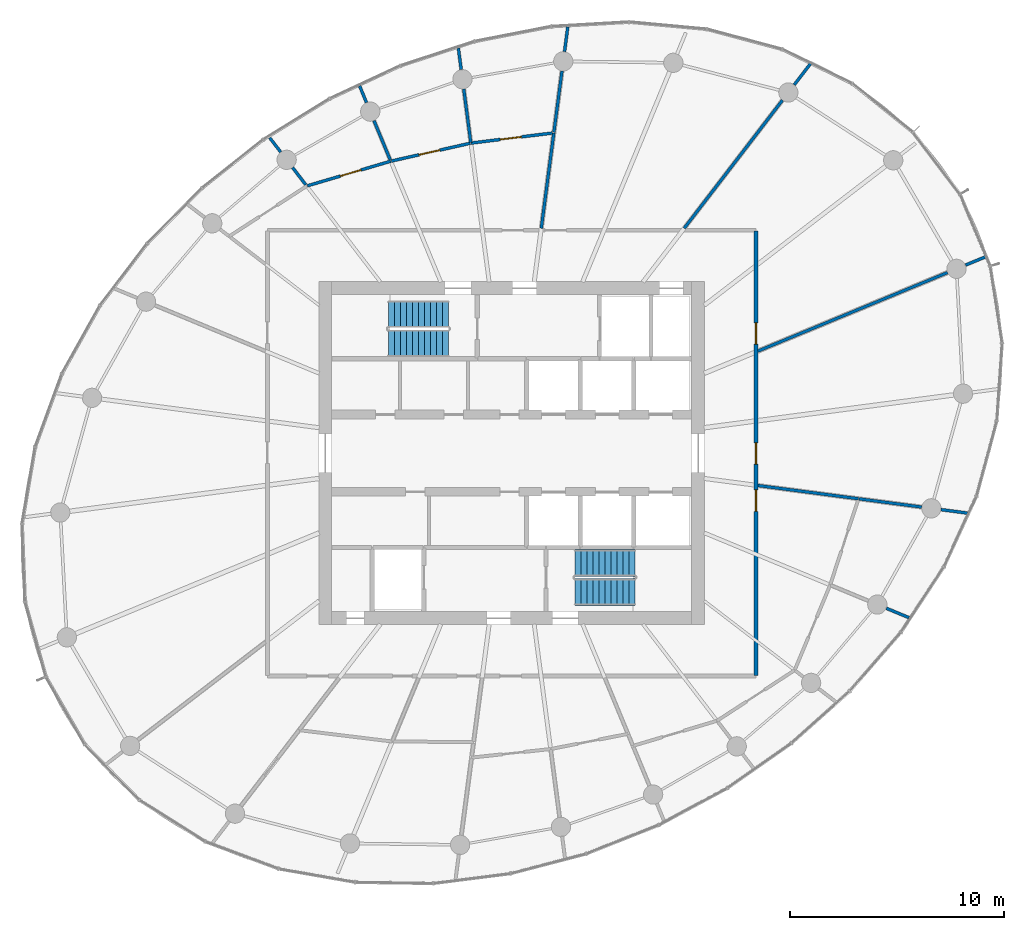
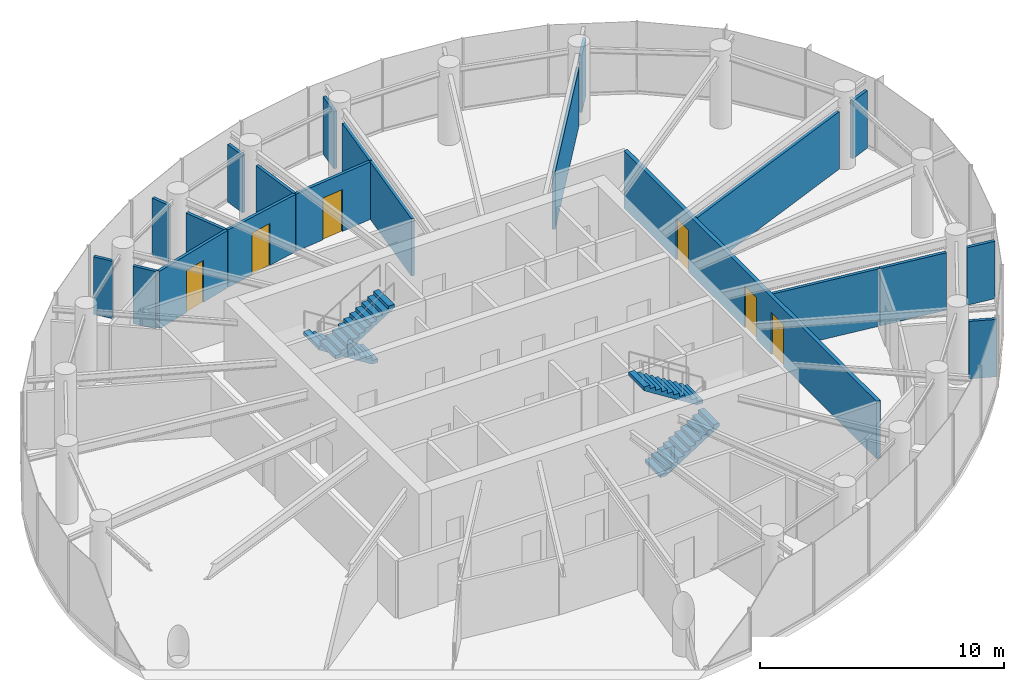
# One storey, part 12 of 14: 21 walls, 6 doors, 4 stair flights, 6 openings, 2 elements without a shape of their own.
"""IFC4 building model written with IfcOpenShell, lengths in metres."""

from ifc_helpers import new_model, si_unit, direction, frame, frame_2d, origin, place, context, subcontext, project, spatial, line, indexed_curve, rectangle, outline, extrude, source, transform, mapped, material, layer, layer_set, type_object, element, fill, aggregate, save


model = new_model("IFC4")

# Units and contexts
model_context = context("Model", 3, precision=1e-05, world=origin(), true_north=direction((0.0, 1.0)))
body_context = subcontext(model_context, "Body", "Model", "MODEL_VIEW")
ifc_project = project(units=[si_unit("LENGTHUNIT", "METRE"), si_unit("AREAUNIT", "SQUARE_METRE"), si_unit("VOLUMEUNIT", "CUBIC_METRE"), si_unit("PLANEANGLEUNIT", "RADIAN"), si_unit("MASSUNIT", "GRAM", prefix="KILO")], contexts=[model_context])

# Site, building, storey
site_placement = place(None, origin())
site = spatial("IfcSite", under=ifc_project, at=site_placement, CompositionType="ELEMENT")
building_placement = place(site_placement, origin())
building = spatial("IfcBuilding", under=site, at=building_placement, Name="Spindrift Exchange Tower", CompositionType="ELEMENT")
storey_placement = place(building_placement, frame((0.0, 0.0, 215.0)))
storey = spatial("IfcBuildingStorey", under=building, at=storey_placement, Name="L52", CompositionType="ELEMENT", Elevation=215.0)

# Wall, openings, doors
ifc_material_1 = material(Name="Fire-rated plasterboard partition", Category="gypsum")
ifc_layer_1 = layer(ifc_material_1, 0.179931640625)
ifc_layer_set_1 = layer_set([ifc_layer_1], Name="W-CORR-180")
wall_type_1 = type_object("IfcWallType", Name="W-CORR-180", PredefinedType="PARTITIONING", material=ifc_layer_set_1)
wall_1_placement = place(storey_placement, frame((63.39990234375, 58.3701171875, 0.0), z_axis=(0.0, 0.0, 1.0), x_axis=(0.0, -1.0, 0.0)))
wall_1 = element("IfcWall", 1, at=wall_1_placement, inside=storey, type_object=wall_type_1, Name="L52 Partition wall 29", PredefinedType="PARTITIONING", context=body_context, shape_type="SweptSolid", body=[
    extrude(rectangle(XDim=20.740234375, YDim=0.179931640625, at=frame_2d((10.3701171875, 0.0))), origin(), (0.0, 0.0, 1.0), 2.8798828125),
])
opening_1_placement = place(wall_1_placement, frame((12.090087890625, 0.0, 0.0)))
opening_1 = element("IfcOpeningElement", 2, at=opening_1_placement, cuts=wall_1, Name="Opening L52-D25", PredefinedType="OPENING", context=body_context, shape_type="SweptSolid", body=[
    extrude(rectangle(XDim=1.0, YDim=2.10009765625, at=frame_2d((0.5, 1.050048828125))), frame((0.0, 0.099853515625, 0.0), z_axis=(0.0, -1.0, 0.0), x_axis=(1.0, 0.0, 0.0)), (0.0, 0.0, 1.0), 0.199951171875),
])
opening_2_placement = place(wall_1_placement, frame((9.889892578125, 0.0, 0.0)))
opening_2 = element("IfcOpeningElement", 3, at=opening_2_placement, cuts=wall_1, Name="Opening L52-D30", PredefinedType="OPENING", context=body_context, shape_type="SweptSolid", body=[
    extrude(rectangle(XDim=1.0, YDim=2.10009765625, at=frame_2d((0.5, 1.050048828125))), frame((0.0, 0.099853515625, 0.0), z_axis=(0.0, -1.0, 0.0), x_axis=(1.0, 0.0, 0.0)), (0.0, 0.0, 1.0), 0.199951171875),
])
opening_3_placement = place(wall_1_placement, frame((4.2900390625, 0.0, 0.0)))
opening_3 = element("IfcOpeningElement", 4, at=opening_3_placement, cuts=wall_1, Name="Opening L52-D31", PredefinedType="OPENING", context=body_context, shape_type="SweptSolid", body=[
    extrude(rectangle(XDim=1.0, YDim=2.10009765625, at=frame_2d((0.5, 1.050048828125))), frame((0.0, 0.099853515625, 0.0), z_axis=(0.0, -1.0, 0.0), x_axis=(1.0, 0.0, 0.0)), (0.0, 0.0, 1.0), 0.199951171875),
])
ifc_material_2 = material(Name="Timber-core fire door", Category="wood")
door_type = type_object("IfcDoorType", Name="DR-ROOM-1000", OperationType="NOTDEFINED", PredefinedType="DOOR", material=ifc_material_2)
shared_shape = source(origin(), body_context, "Body", "SweptSolid", [
    extrude(rectangle(XDim=1.0, YDim=2.10009765625, at=frame_2d((0.5, 1.050048828125))), frame((0.0, 0.02490234375, 0.0), z_axis=(0.0, -1.0, 0.0), x_axis=(1.0, 0.0, 0.0)), (0.0, 0.0, 1.0), 0.050048828125),
])
door_1_placement = place(opening_1_placement, origin())
door_1 = element("IfcDoor", 5, at=door_1_placement, inside=storey, type_object=door_type, Name="L52 Door 25", OperationType="SINGLE_SWING_RIGHT", OverallHeight=2.10009765625, OverallWidth=1.0, PredefinedType="DOOR", context=body_context, shape_type="MappedRepresentation", body=[
    mapped(shared_shape, transform((0.0, 0.0, 0.0), scale=1.0)),
])
fill(opening_1, door_1)
door_2_placement = place(opening_2_placement, origin())
door_2 = element("IfcDoor", 6, at=door_2_placement, inside=storey, type_object=door_type, Name="L52 Door 30", OperationType="SINGLE_SWING_LEFT", OverallHeight=2.10009765625, OverallWidth=1.0, PredefinedType="DOOR", context=body_context, shape_type="MappedRepresentation", body=[
    mapped(shared_shape, transform((0.0, 0.0, 0.0), scale=1.0)),
])
fill(opening_2, door_2)
door_3_placement = place(opening_3_placement, origin())
door_3 = element("IfcDoor", 7, at=door_3_placement, inside=storey, type_object=door_type, Name="L52 Door 31", OperationType="SINGLE_SWING_RIGHT", OverallHeight=2.10009765625, OverallWidth=1.0, PredefinedType="DOOR", context=body_context, shape_type="MappedRepresentation", body=[
    mapped(shared_shape, transform((0.0, 0.0, 0.0), scale=1.0)),
])
fill(opening_3, door_3)

# Walls
ifc_layer_2 = layer(ifc_material_1, 0.139892578125)
ifc_layer_set_2 = layer_set([ifc_layer_2], Name="W-PART-140")
wall_type_2 = type_object("IfcWallType", Name="W-PART-140", PredefinedType="PARTITIONING", material=ifc_layer_set_2)
wall_2_placement = place(storey_placement, frame((63.489990234375, 52.75927734375, 0.0), z_axis=(0.0, 0.0, 1.0), x_axis=(0.923877866197, 0.382687455178, 0.0)))
element("IfcWall", 8, at=wall_2_placement, inside=storey, type_object=wall_type_2, Name="L52 Partition wall 31", PredefinedType="PARTITIONING", context=body_context, shape_type="SweptSolid", body=[
    extrude(rectangle(XDim=9.5712890625, YDim=0.139892578125, at=frame_2d((4.78564453125, 0.0))), origin(), (0.0, 0.0, 1.0), 2.8798828125),
])
wall_3_placement = place(storey_placement, frame((60.04931640625, 58.489990234375, 0.0), z_axis=(0.0, 0.0, 1.0), x_axis=(0.608758977351, 0.793355221508, 0.0)))
element("IfcWall", 9, at=wall_3_placement, inside=storey, type_object=wall_type_2, Name="L52 Partition wall 32", PredefinedType="PARTITIONING", context=body_context, shape_type="SweptSolid", body=[
    extrude(rectangle(XDim=7.528076171875, YDim=0.139892578125, at=frame_2d((3.76416015625, 0.0))), origin(), (0.0, 0.0, 1.0), 2.8798828125),
])
wall_4_placement = place(storey_placement, frame((63.489990234375, 46.4873046875, 0.0), z_axis=(0.0, 0.0, 1.0), x_axis=(0.99144375561, -0.130534591054, 0.0)))
element("IfcWall", 10, at=wall_4_placement, inside=storey, type_object=wall_type_2, Name="L52 Partition wall 35", PredefinedType="PARTITIONING", context=body_context, shape_type="SweptSolid", body=[
    extrude(rectangle(XDim=4.73193359375, YDim=0.139892578125, at=frame_2d((2.365966796875, 0.0))), origin(), (0.0, 0.0, 1.0), 2.8798828125),
])
wall_5_placement = place(storey_placement, frame((53.381103515625, 58.489990234375, 0.0), z_axis=(0.0, 0.0, 1.0), x_axis=(0.130513619035, 0.991446516584, 0.0)))
element("IfcWall", 11, at=wall_5_placement, inside=storey, type_object=wall_type_2, Name="L52 Partition wall 36", PredefinedType="PARTITIONING", context=body_context, shape_type="SweptSolid", body=[
    extrude(rectangle(XDim=4.487548828125, YDim=0.139892578125, at=frame_2d((2.24365234375, 0.0))), origin(), (0.0, 0.0, 1.0), 2.8798828125),
])

# Wall, opening, door
wall_6_placement = place(storey_placement, frame((42.466796875, 60.4697265625, 0.0), z_axis=(0.0, 0.0, 1.0), x_axis=(0.959068964017, 0.283172601532, 0.0)))
wall_6 = element("IfcWall", 12, at=wall_6_placement, inside=storey, type_object=wall_type_2, Name="L52 Partition wall 44", PredefinedType="PARTITIONING", context=body_context, shape_type="SweptSolid", body=[
    extrude(rectangle(XDim=4.05810546875, YDim=0.139892578125, at=frame_2d((2.029052734375, 0.0))), origin(), (0.0, 0.0, 1.0), 2.8798828125),
])
opening_4_placement = place(wall_6_placement, frame((1.608154296875, 0.0, 0.0)))
opening_4 = element("IfcOpeningElement", 13, at=opening_4_placement, cuts=wall_6, Name="Opening L52-D36", PredefinedType="OPENING", context=body_context, shape_type="SweptSolid", body=[
    extrude(rectangle(XDim=1.0, YDim=2.10009765625, at=frame_2d((0.5, 1.050048828125))), frame((0.0, 0.079833984375, 0.0), z_axis=(0.0, -1.0, 0.0), x_axis=(1.0, 0.0, 0.0)), (0.0, 0.0, 1.0), 0.159912109375),
])
door_4_placement = place(opening_4_placement, origin())
door_4 = element("IfcDoor", 14, at=door_4_placement, inside=storey, type_object=door_type, Name="L52 Door 36", OperationType="SINGLE_SWING_LEFT", OverallHeight=2.10009765625, OverallWidth=1.0, PredefinedType="DOOR", context=body_context, shape_type="MappedRepresentation", body=[
    mapped(shared_shape, transform((0.0, 0.0, 0.0), scale=1.0)),
])
fill(opening_4, door_4)

wall_7_placement = place(storey_placement, frame((50.095947265625, 62.46240234375, 0.0), z_axis=(0.0, 0.0, 1.0), x_axis=(0.992497085358, 0.122268293338, 0.0)))
wall_7 = element("IfcWall", 15, at=wall_7_placement, inside=storey, type_object=wall_type_2, Name="L52 Partition wall 45", PredefinedType="PARTITIONING", context=body_context, shape_type="SweptSolid", body=[
    extrude(rectangle(XDim=3.827880859375, YDim=0.139892578125, at=frame_2d((1.9140625, 0.0))), origin(), (0.0, 0.0, 1.0), 2.8798828125),
])
opening_5_placement = place(wall_7_placement, frame((1.377685546875, 0.0, 0.0)))
opening_5 = element("IfcOpeningElement", 16, at=opening_5_placement, cuts=wall_7, Name="Opening L52-D34", PredefinedType="OPENING", context=body_context, shape_type="SweptSolid", body=[
    extrude(rectangle(XDim=1.0, YDim=2.10009765625, at=frame_2d((0.5, 1.050048828125))), frame((0.0, 0.079833984375, 0.0), z_axis=(0.0, -1.0, 0.0), x_axis=(1.0, 0.0, 0.0)), (0.0, 0.0, 1.0), 0.159912109375),
])
door_5_placement = place(opening_5_placement, origin())
door_5 = element("IfcDoor", 17, at=door_5_placement, inside=storey, type_object=door_type, Name="L52 Door 34", OperationType="SINGLE_SWING_LEFT", OverallHeight=2.10009765625, OverallWidth=1.0, PredefinedType="DOOR", context=body_context, shape_type="MappedRepresentation", body=[
    mapped(shared_shape, transform((0.0, 0.0, 0.0), scale=1.0)),
])
fill(opening_5, door_5)

wall_8_placement = place(storey_placement, frame((46.38818359375, 61.62548828125, 0.0), z_axis=(0.0, 0.0, 1.0), x_axis=(0.975458049839, 0.220185360556, 0.0)))
wall_8 = element("IfcWall", 18, at=wall_8_placement, inside=storey, type_object=wall_type_2, Name="L52 Partition wall 46", PredefinedType="PARTITIONING", context=body_context, shape_type="SweptSolid", body=[
    extrude(rectangle(XDim=3.77099609375, YDim=0.139892578125, at=frame_2d((1.885498046875, 0.0))), origin(), (0.0, 0.0, 1.0), 2.8798828125),
])
opening_6_placement = place(wall_8_placement, frame((1.3212890625, 0.0, 0.0)))
opening_6 = element("IfcOpeningElement", 19, at=opening_6_placement, cuts=wall_8, Name="Opening L52-D35", PredefinedType="OPENING", context=body_context, shape_type="SweptSolid", body=[
    extrude(rectangle(XDim=1.0, YDim=2.10009765625, at=frame_2d((0.5, 1.050048828125))), frame((0.0, 0.079833984375, 0.0), z_axis=(0.0, -1.0, 0.0), x_axis=(1.0, 0.0, 0.0)), (0.0, 0.0, 1.0), 0.159912109375),
])
door_6_placement = place(opening_6_placement, origin())
door_6 = element("IfcDoor", 20, at=door_6_placement, inside=storey, type_object=door_type, Name="L52 Door 35", OperationType="SINGLE_SWING_RIGHT", OverallHeight=2.10009765625, OverallWidth=1.0, PredefinedType="DOOR", context=body_context, shape_type="MappedRepresentation", body=[
    mapped(shared_shape, transform((0.0, 0.0, 0.0), scale=1.0)),
])
fill(opening_6, door_6)

# Walls
wall_9_placement = place(storey_placement, frame((68.211181640625, 45.86572265625, 0.0), z_axis=(0.0, 0.0, 1.0), x_axis=(0.991446673779, -0.1305124249, 0.0)))
element("IfcWall", 21, at=wall_9_placement, inside=storey, type_object=wall_type_2, Name="L52 Partition wall 54", PredefinedType="PARTITIONING", context=body_context, shape_type="SweptSolid", body=[
    extrude(rectangle(XDim=2.9443359375, YDim=0.139892578125, at=frame_2d((1.47216796875, 0.0))), origin(), (0.0, 0.0, 1.0), 2.8798828125),
])
wall_10_placement = place(storey_placement, frame((53.970703125, 62.968994140625, 0.0), z_axis=(0.0, 0.0, 1.0), x_axis=(0.130566218239, 0.991439591026, 0.0)))
element("IfcWall", 22, at=wall_10_placement, inside=storey, type_object=wall_type_2, Name="L52 Partition wall 56", PredefinedType="PARTITIONING", context=body_context, shape_type="SweptSolid", body=[
    extrude(rectangle(XDim=2.88330078125, YDim=0.139892578125, at=frame_2d((1.441650390625, 0.0))), origin(), (0.0, 0.0, 1.0), 2.8798828125),
])
wall_11_placement = place(storey_placement, frame((50.092041015625, 62.4921875, 0.0), z_axis=(0.0, 0.0, 1.0), x_axis=(-0.130527151373, 0.991444735098, 0.0)))
element("IfcWall", 23, at=wall_11_placement, inside=storey, type_object=wall_type_2, Name="L52 Partition wall 57", PredefinedType="PARTITIONING", context=body_context, shape_type="SweptSolid", body=[
    extrude(rectangle(XDim=2.521240234375, YDim=0.139892578125, at=frame_2d((1.2607421875, 0.0))), origin(), (0.0, 0.0, 1.0), 2.8798828125),
])
wall_12_placement = place(storey_placement, frame((46.33203125, 61.683837890625, 0.0), z_axis=(0.0, 0.0, 1.0), x_axis=(-0.382686140255, 0.923878410862, 0.0)))
element("IfcWall", 24, at=wall_12_placement, inside=storey, type_object=wall_type_2, Name="L52 Partition wall 62", PredefinedType="PARTITIONING", context=body_context, shape_type="SweptSolid", body=[
    extrude(rectangle(XDim=1.977783203125, YDim=0.139892578125, at=frame_2d((0.98876953125, 0.0))), origin(), (0.0, 0.0, 1.0), 2.8798828125),
])
wall_13_placement = place(storey_placement, frame((65.185546875, 65.18359375, 0.0), z_axis=(0.0, 0.0, 1.0), x_axis=(0.608673156435, 0.793421066417, 0.0)))
element("IfcWall", 25, at=wall_13_placement, inside=storey, type_object=wall_type_2, Name="L52 Partition wall 65", PredefinedType="PARTITIONING", context=body_context, shape_type="SweptSolid", body=[
    extrude(rectangle(XDim=1.25146484375, YDim=0.139892578125, at=frame_2d((0.625732421875, 0.0))), origin(), (0.0, 0.0, 1.0), 2.8798828125),
])
wall_14_placement = place(storey_placement, frame((72.031494140625, 45.36279296875, 0.0), z_axis=(0.0, 0.0, 1.0), x_axis=(0.991456301327, -0.1304392677, 0.0)))
element("IfcWall", 26, at=wall_14_placement, inside=storey, type_object=wall_type_2, Name="L52 Partition wall 67", PredefinedType="PARTITIONING", context=body_context, shape_type="SweptSolid", body=[
    extrude(rectangle(XDim=1.24267578125, YDim=0.139892578125, at=frame_2d((0.621337890625, 0.0))), origin(), (0.0, 0.0, 1.0), 2.8798828125),
])
wall_15_placement = place(storey_placement, frame((54.4658203125, 66.72900390625, 0.0), z_axis=(0.0, 0.0, 1.0), x_axis=(0.130562588112, 0.991440069084, 0.0)))
element("IfcWall", 27, at=wall_15_placement, inside=storey, type_object=wall_type_2, Name="L52 Partition wall 68", PredefinedType="PARTITIONING", context=body_context, shape_type="SweptSolid", body=[
    extrude(rectangle(XDim=1.168701171875, YDim=0.139892578125, at=frame_2d((0.58447265625, 0.0))), origin(), (0.0, 0.0, 1.0), 2.8798828125),
])
wall_16_placement = place(storey_placement, frame((69.479736328125, 40.759521484375, 0.0), z_axis=(0.0, 0.0, 1.0), x_axis=(0.92392296186, -0.38257856781, 0.0)))
element("IfcWall", 28, at=wall_16_placement, inside=storey, type_object=wall_type_2, Name="L52 Partition wall 70", PredefinedType="PARTITIONING", context=body_context, shape_type="SweptSolid", body=[
    extrude(rectangle(XDim=1.14111328125, YDim=0.139892578125, at=frame_2d((0.570556640625, 0.0))), origin(), (0.0, 0.0, 1.0), 2.8798828125),
])
wall_17_placement = place(storey_placement, frame((42.3955078125, 60.516845703125, 0.0), z_axis=(0.0, 0.0, 1.0), x_axis=(-0.608734333178, 0.793374130919, 0.0)))
element("IfcWall", 29, at=wall_17_placement, inside=storey, type_object=wall_type_2, Name="L52 Partition wall 72", PredefinedType="PARTITIONING", context=body_context, shape_type="SweptSolid", body=[
    extrude(rectangle(XDim=1.015380859375, YDim=0.139892578125, at=frame_2d((0.5078125, 0.0))), origin(), (0.0, 0.0, 1.0), 2.8798828125),
])
wall_18_placement = place(storey_placement, frame((49.644287109375, 65.89306640625, 0.0), z_axis=(0.0, 0.0, 1.0), x_axis=(-0.130416888508, 0.991459245351, 0.0)))
element("IfcWall", 30, at=wall_18_placement, inside=storey, type_object=wall_type_2, Name="L52 Partition wall 75", PredefinedType="PARTITIONING", context=body_context, shape_type="SweptSolid", body=[
    extrude(rectangle(XDim=1.007080078125, YDim=0.139892578125, at=frame_2d((0.50341796875, 0.0))), origin(), (0.0, 0.0, 1.0), 2.8798828125),
])
wall_19_placement = place(storey_placement, frame((73.173583984375, 56.770263671875, 0.0), z_axis=(0.0, 0.0, 1.0), x_axis=(0.923833550204, 0.382794424617, 0.0)))
element("IfcWall", 31, at=wall_19_placement, inside=storey, type_object=wall_type_2, Name="L52 Partition wall 79", PredefinedType="PARTITIONING", context=body_context, shape_type="SweptSolid", body=[
    extrude(rectangle(XDim=0.990478515625, YDim=0.139892578125, at=frame_2d((0.4951171875, 0.0))), origin(), (0.0, 0.0, 1.0), 2.8798828125),
])
wall_20_placement = place(storey_placement, frame((45.226806640625, 64.351806640625, 0.0), z_axis=(0.0, 0.0, 1.0), x_axis=(-0.382488701461, 0.923960168651, 0.0)))
element("IfcWall", 32, at=wall_20_placement, inside=storey, type_object=wall_type_2, Name="L52 Partition wall 80", PredefinedType="PARTITIONING", context=body_context, shape_type="SweptSolid", body=[
    extrude(rectangle(XDim=0.840087890625, YDim=0.139892578125, at=frame_2d((0.419921875, 0.0))), origin(), (0.0, 0.0, 1.0), 2.8798828125),
])
wall_21_placement = place(storey_placement, frame((41.22412109375, 62.043701171875, 0.0), z_axis=(0.0, 0.0, 1.0), x_axis=(-0.609006416532, 0.793165294641, 0.0)))
element("IfcWall", 33, at=wall_21_placement, inside=storey, type_object=wall_type_2, Name="L52 Partition wall 83", PredefinedType="PARTITIONING", context=body_context, shape_type="SweptSolid", body=[
    extrude(rectangle(XDim=0.837890625, YDim=0.139892578125, at=frame_2d((0.4189453125, 0.0))), origin(), (0.0, 0.0, 1.0), 2.8798828125),
])

# Stair, stair flights
ifc_material_3 = material(Name="Concrete 50 MPa", Category="concrete")
stair_type = type_object("IfcStairType", Name="ST-1250-R177", PredefinedType="HALF_TURN_STAIR", material=ifc_material_3)
stair_1_placement = place(storey_placement, origin())
stair_1 = element("IfcStair", 34, at=stair_1_placement, inside=storey, type_object=stair_type, Name="L52 Exit stair ST1", PredefinedType="HALF_TURN_STAIR")
stair_flight_type = type_object("IfcStairFlightType", Name="STF-1250-R177", PredefinedType="STRAIGHT", material=ifc_material_3)
stair_flight_1_placement = place(storey_placement, frame((49.050048828125, 54.47509765625, 0.0), z_axis=(0.0, 0.0, 1.0), x_axis=(-1.0, 0.0, 0.0)))
stair_flight_1 = element("IfcStairFlight", 35, at=stair_flight_1_placement, type_object=stair_flight_type, Name="ST1 flight 1", NumberOfRisers=11, NumberOfTreads=10, PredefinedType="STRAIGHT", RiserHeight=0.177272727, TreadLength=0.28, context=body_context, shape_type="SweptSolid", body=[
    extrude(outline(indexed_curve([(0.0, 0.0), (0.0, 0.177734375), (0.2802734375, 0.177734375), (0.2802734375, 0.3544921875), (0.5595703125, 0.3544921875), (0.5595703125, 0.5322265625), (0.83984375, 0.5322265625), (0.83984375, 0.708984375), (1.1201171875, 0.708984375), (1.1201171875, 0.88671875), (1.400390625, 0.88671875), (1.400390625, 1.0634765625), (1.6796875, 1.0634765625), (1.6796875, 1.2412109375), (1.9599609375, 1.2412109375), (1.9599609375, 1.41796875), (2.240234375, 1.41796875), (2.240234375, 1.595703125), (2.51953125, 1.595703125), (2.51953125, 1.7724609375), (2.7998046875, 1.7724609375), (2.7998046875, 1.9501953125), (2.7998046875, 1.595703125), (0.2802734375, 0.0)], segments=[line(1, 2, 3, 4, 5, 6, 7, 8, 9, 10, 11, 12, 13, 14, 15, 16, 17, 18, 19, 20, 21, 22, 23, 24, 1)], self_intersect=False)), frame((0.0, 0.625, 0.0), z_axis=(0.0, -1.0, 0.0), x_axis=(1.0, 0.0, 0.0)), (0.0, 0.0, 1.0), 1.25),
])
stair_flight_2_placement = place(storey_placement, frame((46.25, 53.125, 1.949951171875), z_axis=(0.0, 0.0, 1.0), x_axis=(1.0, 0.0, 0.0)))
stair_flight_2 = element("IfcStairFlight", 36, at=stair_flight_2_placement, type_object=stair_flight_type, Name="ST1 flight 2", NumberOfRisers=11, NumberOfTreads=10, PredefinedType="STRAIGHT", RiserHeight=0.177272727, TreadLength=0.28, context=body_context, shape_type="SweptSolid", body=[
    extrude(outline(indexed_curve([(0.0, 0.0), (0.0, 0.177734375), (0.2802734375, 0.177734375), (0.2802734375, 0.3544921875), (0.5595703125, 0.3544921875), (0.5595703125, 0.5322265625), (0.83984375, 0.5322265625), (0.83984375, 0.708984375), (1.1201171875, 0.708984375), (1.1201171875, 0.88671875), (1.400390625, 0.88671875), (1.400390625, 1.0634765625), (1.6796875, 1.0634765625), (1.6796875, 1.2412109375), (1.9599609375, 1.2412109375), (1.9599609375, 1.41796875), (2.240234375, 1.41796875), (2.240234375, 1.595703125), (2.51953125, 1.595703125), (2.51953125, 1.7724609375), (2.7998046875, 1.7724609375), (2.7998046875, 1.9501953125), (2.7998046875, 1.595703125), (0.2802734375, 0.0)], segments=[line(1, 2, 3, 4, 5, 6, 7, 8, 9, 10, 11, 12, 13, 14, 15, 16, 17, 18, 19, 20, 21, 22, 23, 24, 1)], self_intersect=False)), frame((0.0, 0.625, 0.0), z_axis=(0.0, -1.0, 0.0), x_axis=(1.0, 0.0, 0.0)), (0.0, 0.0, 1.0), 1.25),
])
aggregate(stair_1, [stair_flight_1, stair_flight_2])

stair_2_placement = place(storey_placement, origin())
stair_2 = element("IfcStair", 37, at=stair_2_placement, inside=storey, type_object=stair_type, Name="L52 Exit stair ST2", PredefinedType="HALF_TURN_STAIR")
stair_flight_3_placement = place(storey_placement, frame((54.949951171875, 41.52490234375, 0.0), z_axis=(0.0, 0.0, 1.0), x_axis=(1.0, 0.0, 0.0)))
stair_flight_3 = element("IfcStairFlight", 38, at=stair_flight_3_placement, type_object=stair_flight_type, Name="ST2 flight 1", NumberOfRisers=11, NumberOfTreads=10, PredefinedType="STRAIGHT", RiserHeight=0.177272727, TreadLength=0.28, context=body_context, shape_type="SweptSolid", body=[
    extrude(outline(indexed_curve([(0.0, 0.0), (0.0, 0.177734375), (0.2802734375, 0.177734375), (0.2802734375, 0.3544921875), (0.5595703125, 0.3544921875), (0.5595703125, 0.5322265625), (0.83984375, 0.5322265625), (0.83984375, 0.708984375), (1.1201171875, 0.708984375), (1.1201171875, 0.88671875), (1.400390625, 0.88671875), (1.400390625, 1.0634765625), (1.6796875, 1.0634765625), (1.6796875, 1.2412109375), (1.9599609375, 1.2412109375), (1.9599609375, 1.41796875), (2.240234375, 1.41796875), (2.240234375, 1.595703125), (2.51953125, 1.595703125), (2.51953125, 1.7724609375), (2.7998046875, 1.7724609375), (2.7998046875, 1.9501953125), (2.7998046875, 1.595703125), (0.2802734375, 0.0)], segments=[line(1, 2, 3, 4, 5, 6, 7, 8, 9, 10, 11, 12, 13, 14, 15, 16, 17, 18, 19, 20, 21, 22, 23, 24, 1)], self_intersect=False)), frame((0.0, 0.625, 0.0), z_axis=(0.0, -1.0, 0.0), x_axis=(1.0, 0.0, 0.0)), (0.0, 0.0, 1.0), 1.25),
])
stair_flight_4_placement = place(storey_placement, frame((57.75, 42.875, 1.949951171875), z_axis=(0.0, 0.0, 1.0), x_axis=(-1.0, 0.0, 0.0)))
stair_flight_4 = element("IfcStairFlight", 39, at=stair_flight_4_placement, type_object=stair_flight_type, Name="ST2 flight 2", NumberOfRisers=11, NumberOfTreads=10, PredefinedType="STRAIGHT", RiserHeight=0.177272727, TreadLength=0.28, context=body_context, shape_type="SweptSolid", body=[
    extrude(outline(indexed_curve([(0.0, 0.0), (0.0, 0.177734375), (0.2802734375, 0.177734375), (0.2802734375, 0.3544921875), (0.5595703125, 0.3544921875), (0.5595703125, 0.5322265625), (0.83984375, 0.5322265625), (0.83984375, 0.708984375), (1.1201171875, 0.708984375), (1.1201171875, 0.88671875), (1.400390625, 0.88671875), (1.400390625, 1.0634765625), (1.6796875, 1.0634765625), (1.6796875, 1.2412109375), (1.9599609375, 1.2412109375), (1.9599609375, 1.41796875), (2.240234375, 1.41796875), (2.240234375, 1.595703125), (2.51953125, 1.595703125), (2.51953125, 1.7724609375), (2.7998046875, 1.7724609375), (2.7998046875, 1.9501953125), (2.7998046875, 1.595703125), (0.2802734375, 0.0)], segments=[line(1, 2, 3, 4, 5, 6, 7, 8, 9, 10, 11, 12, 13, 14, 15, 16, 17, 18, 19, 20, 21, 22, 23, 24, 1)], self_intersect=False)), frame((0.0, 0.625, 0.0), z_axis=(0.0, -1.0, 0.0), x_axis=(1.0, 0.0, 0.0)), (0.0, 0.0, 1.0), 1.25),
])
aggregate(stair_2, [stair_flight_3, stair_flight_4])

save(model, "model.ifc")
